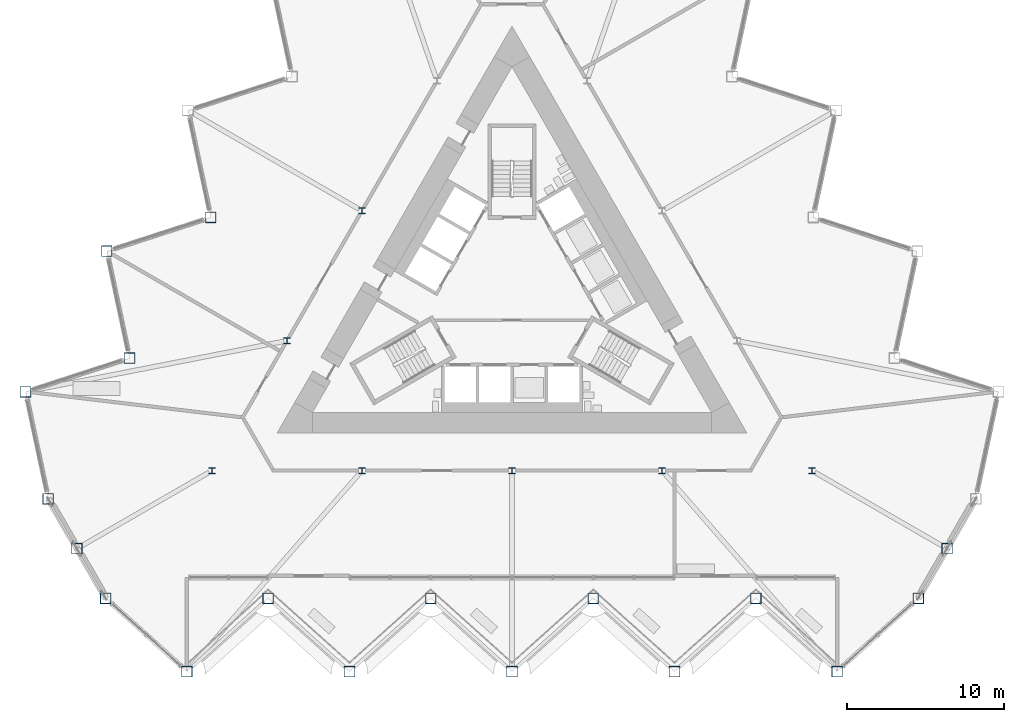
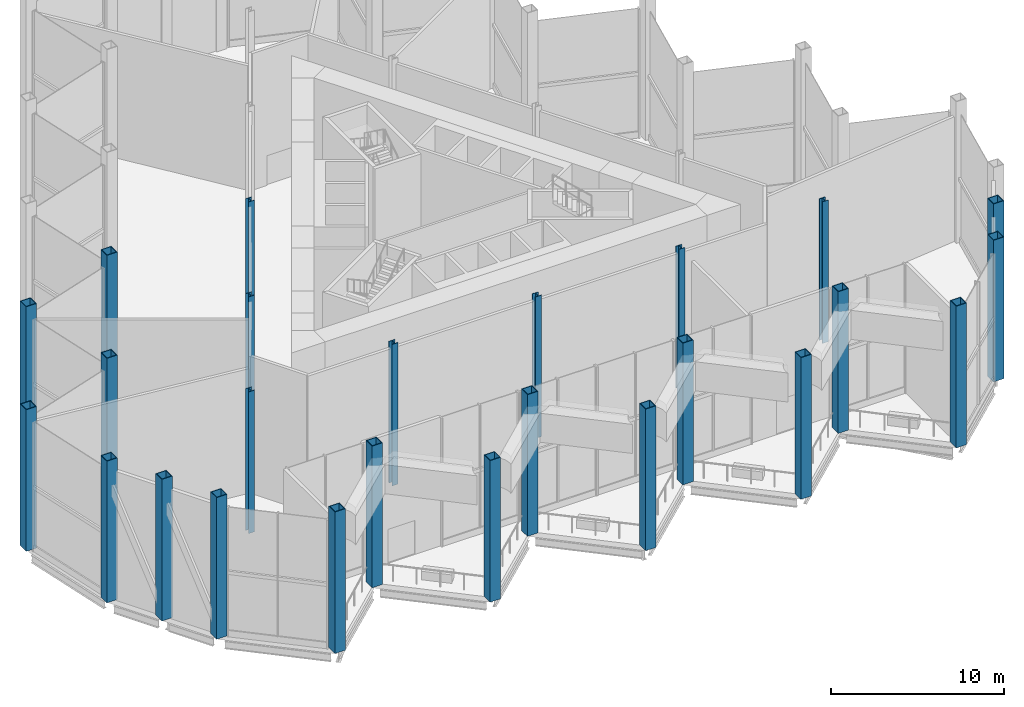
# One storey, part 1 of 17: 25 columns.
"""IFC4 building model written with IfcOpenShell, lengths in metres."""

import ifcopenshell
import ifcopenshell.guid

model = None  # the IFC model being written
_history = None  # IfcOwnerHistory: only IFC2X3 demands one
_inside = {}  # id of a spatial element -> (the spatial element, [elements in it])
_under = {}  # id of a project, library or spatial element -> (it, [spatial elements below it])
_declared = {}  # id of a project -> (the project, [libraries it declares])
_typed = {}  # id of a type object -> (the type object, [elements of that type])
_made_of = {}  # id of a material, layer set ... -> (it, [elements and type objects made of it])


def new_model(schema):
    """Start an empty IFC model of exactly this schema.

    Asked for "IFC4X3", IfcOpenShell would pick the latest addendum, in which some entities
    have other attributes; the version numbers below select the first issue.
    IFC2X3 requires an IfcOwnerHistory on every rooted entity: one is made here for all.
    """
    global model, _history
    if schema == "IFC4X3":
        model = ifcopenshell.file(schema_version=(4, 3, 0, 0))
    else:
        model = ifcopenshell.file(schema=schema)
    _inside.clear()
    _under.clear()
    _declared.clear()
    _typed.clear()
    _made_of.clear()
    _history = None
    if model.schema == "IFC2X3":
        org = make("IfcOrganization", Name="unknown")
        user = make(
            "IfcPersonAndOrganization",
            ThePerson=make("IfcPerson", FamilyName="unknown"),
            TheOrganization=org,
        )
        app = make(
            "IfcApplication",
            ApplicationDeveloper=org,
            Version="unknown",
            ApplicationFullName="unknown",
            ApplicationIdentifier="unknown",
        )
        _history = make(
            "IfcOwnerHistory",
            OwningUser=user,
            OwningApplication=app,
            ChangeAction="ADDED",
            CreationDate=0,
        )
    return model


def make(cls, **values):
    """One entity of the class cls with the attributes given. An attribute that is None is left unset."""
    return model.create_entity(
        cls, **{name: value for name, value in values.items() if value is not None}
    )


def rooted(cls, **values):
    """An entity with a GlobalId (a new one), such as an element, a storey or a relation."""
    return make(cls, GlobalId=ifcopenshell.guid.new(), OwnerHistory=_history, **values)


def si_unit(unit_type, name, prefix=None):
    """IfcSIUnit, for example si_unit("LENGTHUNIT", "METRE", prefix="MILLI")."""
    return make("IfcSIUnit", UnitType=unit_type, Prefix=prefix, Name=name)


def assignment(units):
    """IfcUnitAssignment: the units of a project."""
    return None if units is None else make("IfcUnitAssignment", Units=units)


def point(xyz):
    """IfcCartesianPoint."""
    return None if xyz is None else make("IfcCartesianPoint", Coordinates=xyz)


def direction(xyz):
    """IfcDirection."""
    return None if xyz is None else make("IfcDirection", DirectionRatios=xyz)


def frame(location, z_axis=None, x_axis=None):
    """IfcAxis2Placement3D, a coordinate frame: its origin and axes. An axis left out is left unset."""
    return make(
        "IfcAxis2Placement3D",
        Location=point(location),
        Axis=direction(z_axis),
        RefDirection=direction(x_axis),
    )


def frame_2d(location, x_axis=None):
    """IfcAxis2Placement2D, a coordinate frame in the plane: its origin and x axis."""
    return make(
        "IfcAxis2Placement2D", Location=point(location), RefDirection=direction(x_axis)
    )


def origin():
    """The frame at (0, 0, 0) with its axes left unset."""
    return frame((0.0, 0.0, 0.0))


def origin_2d():
    """The frame at (0, 0) in the plane with its x axis left unset."""
    return frame_2d((0.0, 0.0))


def place(relative_to, where):
    """IfcLocalPlacement: puts the frame where relative to a parent placement (None: the world)."""
    return make(
        "IfcLocalPlacement", PlacementRelTo=relative_to, RelativePlacement=where
    )


def context(
    kind, dimensions, precision=None, world=None, true_north=None, identifier=None
):
    """IfcGeometricRepresentationContext, for example the 3D "Model" context."""
    return make(
        "IfcGeometricRepresentationContext",
        ContextIdentifier=identifier,
        ContextType=kind,
        CoordinateSpaceDimension=dimensions,
        Precision=precision,
        WorldCoordinateSystem=world,
        TrueNorth=true_north,
    )


def subcontext(parent, identifier, kind, view, scale=None):
    """IfcGeometricRepresentationSubContext, for example "Body" below "Model"."""
    return make(
        "IfcGeometricRepresentationSubContext",
        ContextIdentifier=identifier,
        ContextType=kind,
        ParentContext=parent,
        TargetScale=scale,
        TargetView=view,
    )


def project(units=None, contexts=None):
    """IfcProject with its units and contexts."""
    return rooted(
        "IfcProject",
        Name="project",
        RepresentationContexts=contexts,
        UnitsInContext=assignment(units),
    )


def spatial(cls, under=None, at=None, **own):
    """A site, building, storey or space (cls), placed at a placement, below another one or the project."""
    s = rooted(cls, ObjectPlacement=at, **own)
    if under is not None:
        _under.setdefault(under.id(), (under, []))[1].append(s)
    return s


def profile(cls, at=None, kind="AREA", **sizes):
    """A parametric profile (cls). Its sizes go by their IFC names, for example OverallWidth=200.0."""
    return make(cls, ProfileType=kind, Position=at, **sizes)


def hollow_rectangle(**sizes):
    """IfcRectangleHollowProfileDef."""
    return profile("IfcRectangleHollowProfileDef", **sizes)


def i_section(**sizes):
    """IfcIShapeProfileDef."""
    return profile("IfcIShapeProfileDef", **sizes)


def extrude(swept, where, along, depth):
    """IfcExtrudedAreaSolid: the profile swept, set in the frame where, extruded along a direction by depth."""
    return make(
        "IfcExtrudedAreaSolid",
        SweptArea=swept,
        Position=where,
        ExtrudedDirection=direction(along),
        Depth=depth,
    )


def shape(context_of_items, identifier, shape_type, items):
    """IfcShapeRepresentation: the items that make up one representation, for example the "Body"."""
    return make(
        "IfcShapeRepresentation",
        ContextOfItems=context_of_items,
        RepresentationIdentifier=identifier,
        RepresentationType=shape_type,
        Items=items,
    )


def material(Name=None, Category=None):
    """IfcMaterial."""
    return make("IfcMaterial", Name=Name, Category=Category)


def material_profile(
    of_material, cross_section, Name=None, Category=None, Priority=None
):
    """IfcMaterialProfile: a cross section and its material."""
    return make(
        "IfcMaterialProfile",
        Name=Name,
        Material=of_material,
        Profile=cross_section,
        Priority=Priority,
        Category=Category,
    )


def profile_set(profiles, Name=None, composite=None):
    """IfcMaterialProfileSet."""
    return make(
        "IfcMaterialProfileSet",
        Name=Name,
        MaterialProfiles=profiles,
        CompositeProfile=composite,
    )


def made_of(thing, what):
    """Note that an element or type object is made of a material, layer set ...; save() writes the relation."""
    if what is not None:
        _made_of.setdefault(what.id(), (what, []))[1].append(thing)
    return thing


def type_object(cls, material=None, **own):
    """A type object (cls), such as IfcWallType, which elements share."""
    return made_of(rooted(cls, **own), material)


def element(
    cls,
    number,
    at=None,
    inside=None,
    cuts=None,
    type_object=None,
    material=None,
    context=None,
    identifier="Body",
    shape_type=None,
    held_by="IfcProductDefinitionShape",
    body=None,
    shapes=None,
    **own,
):
    """One element of the class cls, such as IfcWall. Its Tag is "e" and its number.

    at: its placement. inside: the storey or other place that contains it. cuts: it is an
    opening in that element (IfcRelVoidsElement). A single representation is given by context,
    identifier, shape_type and body (its items); several are given by shapes. held_by: the class
    of the entity that holds the representations. save() writes the other relations.
    """
    e = rooted(cls, Tag="e%d" % number, ObjectPlacement=at, **own)
    if body is not None:
        shapes = [shape(context, identifier, shape_type, body)]
    if shapes is not None:
        e.Representation = make(held_by, Representations=shapes)
    if inside is not None:
        _inside.setdefault(inside.id(), (inside, []))[1].append(e)
    if cuts is not None:
        rooted(
            "IfcRelVoidsElement", RelatingBuildingElement=cuts, RelatedOpeningElement=e
        )
    if type_object is not None:
        _typed.setdefault(type_object.id(), (type_object, []))[1].append(e)
    return made_of(e, material)


def aggregate(whole, parts):
    """IfcRelAggregates: a whole, such as a stair, and the parts it consists of."""
    return rooted("IfcRelAggregates", RelatingObject=whole, RelatedObjects=parts)


def save(model, path):
    """Write the relations noted so far, then the file.

    IfcRelAggregates (storeys below a building ...), IfcRelContainedInSpatialStructure (elements
    in a storey), IfcRelDefinesByType, IfcRelAssociatesMaterial and IfcRelDeclares: one each for
    every whole, place, type object, material and project.
    """
    for whole, parts in _under.values():
        aggregate(whole, parts)
    for where, things in _inside.values():
        rooted(
            "IfcRelContainedInSpatialStructure",
            RelatedElements=things,
            RelatingStructure=where,
        )
    for kind, things in _typed.values():
        rooted("IfcRelDefinesByType", RelatedObjects=things, RelatingType=kind)
    for what, things in _made_of.values():
        rooted("IfcRelAssociatesMaterial", RelatedObjects=things, RelatingMaterial=what)
    for by, libraries in _declared.values():
        rooted("IfcRelDeclares", RelatingContext=by, RelatedDefinitions=libraries)
    model.write(path)


model = new_model("IFC4")

# Units and contexts
model_context = context("Model", 3, precision=1e-05, world=origin(), true_north=direction((0.0, 1.0)))
body_context = subcontext(model_context, "Body", "Model", "MODEL_VIEW")
ifc_project = project(units=[si_unit("LENGTHUNIT", "METRE"), si_unit("AREAUNIT", "SQUARE_METRE"), si_unit("VOLUMEUNIT", "CUBIC_METRE"), si_unit("PLANEANGLEUNIT", "RADIAN"), si_unit("MASSUNIT", "GRAM", prefix="KILO")], contexts=[model_context])

# Site, building, storey
site_placement = place(None, origin())
site = spatial("IfcSite", under=ifc_project, at=site_placement, CompositionType="ELEMENT")
building_placement = place(site_placement, origin())
building = spatial("IfcBuilding", under=site, at=building_placement, Name="Cormorant Prow Tower", CompositionType="ELEMENT")
storey_placement = place(building_placement, frame((0.0, 0.0, 277.800048828125)))
storey = spatial("IfcBuildingStorey", under=building, at=storey_placement, Name="L63", CompositionType="ELEMENT", Elevation=277.800048828125)

# Columns
ifc_material_1 = material(Name="Structural steel ASTM A572 Gr 50", Category="steel")
ifc_material_profile_1 = material_profile(ifc_material_1, hollow_rectangle(XDim=0.699951171875, YDim=0.699951171875, WallThickness=0.044921875, at=origin_2d()), Name="Box 700x700x45")
ifc_profile_set_1 = profile_set([ifc_material_profile_1], Name="Structural steel ASTM A572 Gr 50")
column_type_1 = type_object("IfcColumnType", Name="Perimeter box column 700x700x45", PredefinedType="COLUMN", material=ifc_profile_set_1)
for number, where, z_axis, x_axis, name in (
    (1, (-25.941162109375, -19.21533203125, 0.0), (0.0, 0.0, 1.0), (1.0, 0.0, 0.0), "Perimeter column C5 at S00 L63"),
    (2, (-20.7529296875, -23.886962890625, 0.0), (0.0, 0.0, 1.0), (1.0, 0.0, 0.0), "Perimeter column C5 at S01 L63"),
    (3, (-15.564697265625, -19.21533203125, 0.0), (0.0, 0.0, 1.0), (1.0, 0.0, 0.0), "Perimeter column C5 at S02 L63"),
    (4, (-10.37646484375, -23.886962890625, 0.0), (0.0, 0.0, 1.0), (1.0, 0.0, 0.0), "Perimeter column C5 at S03 L63"),
    (5, (-5.188232421875, -19.21533203125, 0.0), (0.0, 0.0, 1.0), (1.0, 0.0, 0.0), "Perimeter column C5 at S04 L63"),
    (6, (0.0, -23.886962890625, 0.0), (0.0, 0.0, 1.0), (1.0, 0.0, 0.0), "Perimeter column C5 at S05 L63"),
    (7, (5.188232421875, -19.21533203125, 0.0), (0.0, 0.0, 1.0), (1.0, 0.0, 0.0), "Perimeter column C5 at S06 L63"),
    (8, (10.37646484375, -23.886962890625, 0.0), (0.0, 0.0, 1.0), (1.0, 0.0, 0.0), "Perimeter column C5 at S07 L63"),
    (9, (15.564697265625, -19.21533203125, 0.0), (0.0, 0.0, 1.0), (1.0, 0.0, 0.0), "Perimeter column C5 at S08 L63"),
    (10, (20.7529296875, -23.886962890625, 0.0), (0.0, 0.0, 1.0), (1.0, 0.0, 0.0), "Perimeter column C5 at S09 L63"),
    (11, (25.941162109375, -19.21533203125, 0.0), (0.0, 0.0, 1.0), (1.0, 0.0, 0.0), "Perimeter column C5 at ESE00 L63"),
    (12, (27.7763671875, -16.03662109375, 0.0), (0.0, 0.0, 1.0), (1.0, 0.0, 0.0), "Perimeter column C5 at ESE01 L63"),
    (13, (-19.235107421875, 5.114501953125, 0.0), (0.0, 0.0, 1.0), (1.0, 0.0, 0.0), "Perimeter column C5 at WNW06 L63"),
    (14, (-25.875, 2.957275390625, 0.0), (0.0, 0.0, 1.0), (1.0, 0.0, 0.0), "Perimeter column C5 at WNW07 L63"),
    (15, (-24.42333984375, -3.871826171875, 0.0), (0.0, 0.0, 1.0), (1.0, 0.0, 0.0), "Perimeter column C5 at WNW08 L63"),
    (16, (-31.063232421875, -6.029052734375, 0.0), (0.0, 0.0, 1.0), (1.0, 0.0, 0.0), "Perimeter column C5 at WNW09 L63"),
    (17, (-29.611572265625, -12.858154296875, 0.0), (0.0, 0.0, 1.0), (1.0, 0.0, 0.0), "Perimeter column C5 at WSW00 L63"),
    (18, (-27.7763671875, -16.03662109375, 0.0), (0.0, 0.0, 1.0), (1.0, 0.0, 0.0), "Perimeter column C5 at WSW01 L63"),
):
    element("IfcColumn", number, at=place(storey_placement, frame(where, z_axis=z_axis, x_axis=x_axis)), inside=storey, type_object=column_type_1, Name=name, PredefinedType="COLUMN", context=body_context, shape_type="SweptSolid", body=[
        extrude(hollow_rectangle(XDim=0.699951171875, YDim=0.699951171875, WallThickness=0.044921875, at=origin_2d()), origin(), (0.0, 0.0, 1.0), 10.0),
    ])
ifc_material_2 = material(Name="Structural steel ASTM A992 Gr 50", Category="steel")
ifc_material_profile_2 = material_profile(ifc_material_2, i_section(OverallWidth=0.39892578125, OverallDepth=0.393310546875, WebThickness=0.022705078125, FlangeThickness=0.03662109375, at=origin_2d()), Name="W14x193")
ifc_profile_set_2 = profile_set([ifc_material_profile_2], Name="Structural steel ASTM A992 Gr 50")
column_type_2 = type_object("IfcColumnType", Name="Ring column W14x193", PredefinedType="COLUMN", material=ifc_profile_set_2)
for number, where, z_axis, x_axis, name in (
    (19, (-9.578369140625, 5.530029296875, 0.0), (0.0, 0.0, 1.0), (1.0, 0.0, 0.0), "Ring column 3 L63"),
    (20, (-14.36767578125, -2.76513671875, 0.0), (0.0, 0.0, 1.0), (1.0, 0.0, 0.0), "Ring column 4 L63"),
    (21, (-19.156982421875, -11.060302734375, 0.0), (0.0, 0.0, 1.0), (1.0, 0.0, 0.0), "Ring column 5 L63"),
    (22, (-9.578369140625, -11.060302734375, 0.0), (0.0, 0.0, 1.0), (1.0, 0.0, 0.0), "Ring column 6 L63"),
    (23, (0.0, -11.060302734375, 0.0), (0.0, 0.0, 1.0), (1.0, 0.0, 0.0), "Ring column 7 L63"),
    (24, (9.578369140625, -11.060302734375, 0.0), (0.0, 0.0, 1.0), (1.0, 0.0, 0.0), "Ring column 8 L63"),
    (25, (19.156982421875, -11.060302734375, 0.0), (0.0, 0.0, 1.0), (1.0, 0.0, 0.0), "Ring column 9 L63"),
):
    element("IfcColumn", number, at=place(storey_placement, frame(where, z_axis=z_axis, x_axis=x_axis)), inside=storey, type_object=column_type_2, Name=name, PredefinedType="COLUMN", context=body_context, shape_type="SweptSolid", body=[
        extrude(i_section(OverallWidth=0.39892578125, OverallDepth=0.393310546875, WebThickness=0.022705078125, FlangeThickness=0.03662109375, at=origin_2d()), origin(), (0.0, 0.0, 1.0), 10.0),
    ])

save(model, "model.ifc")
